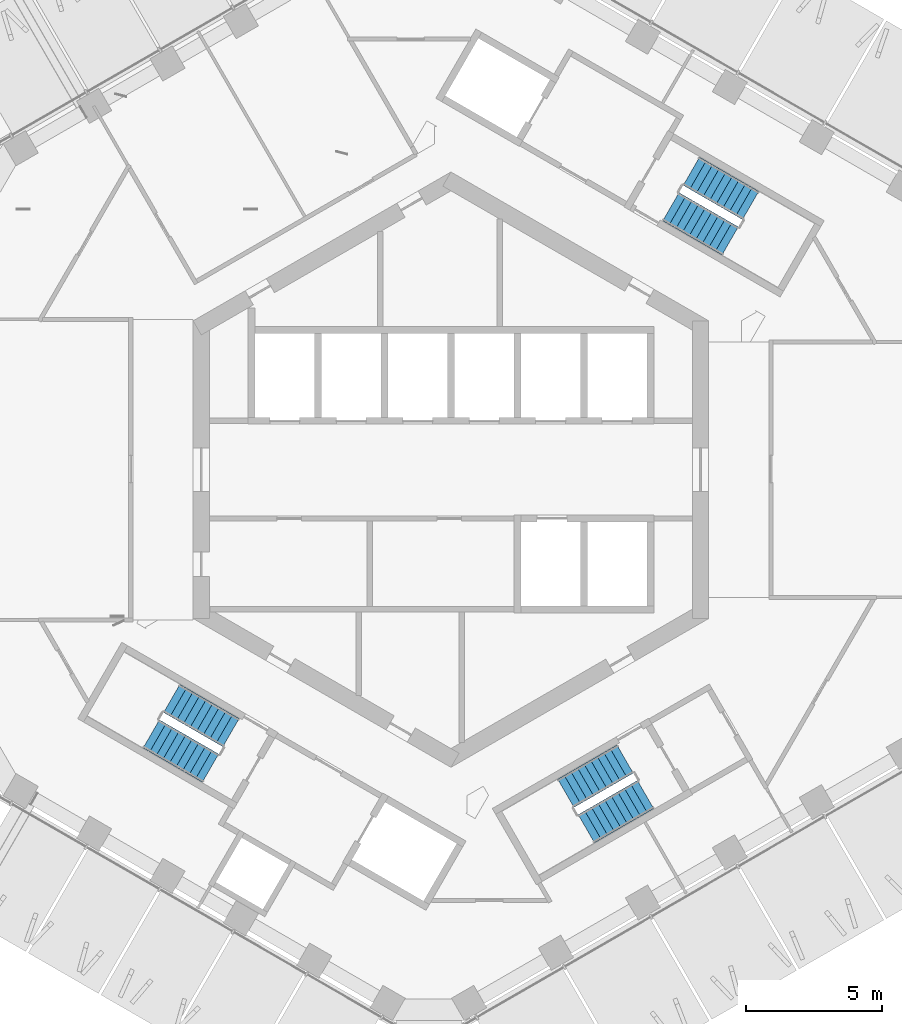
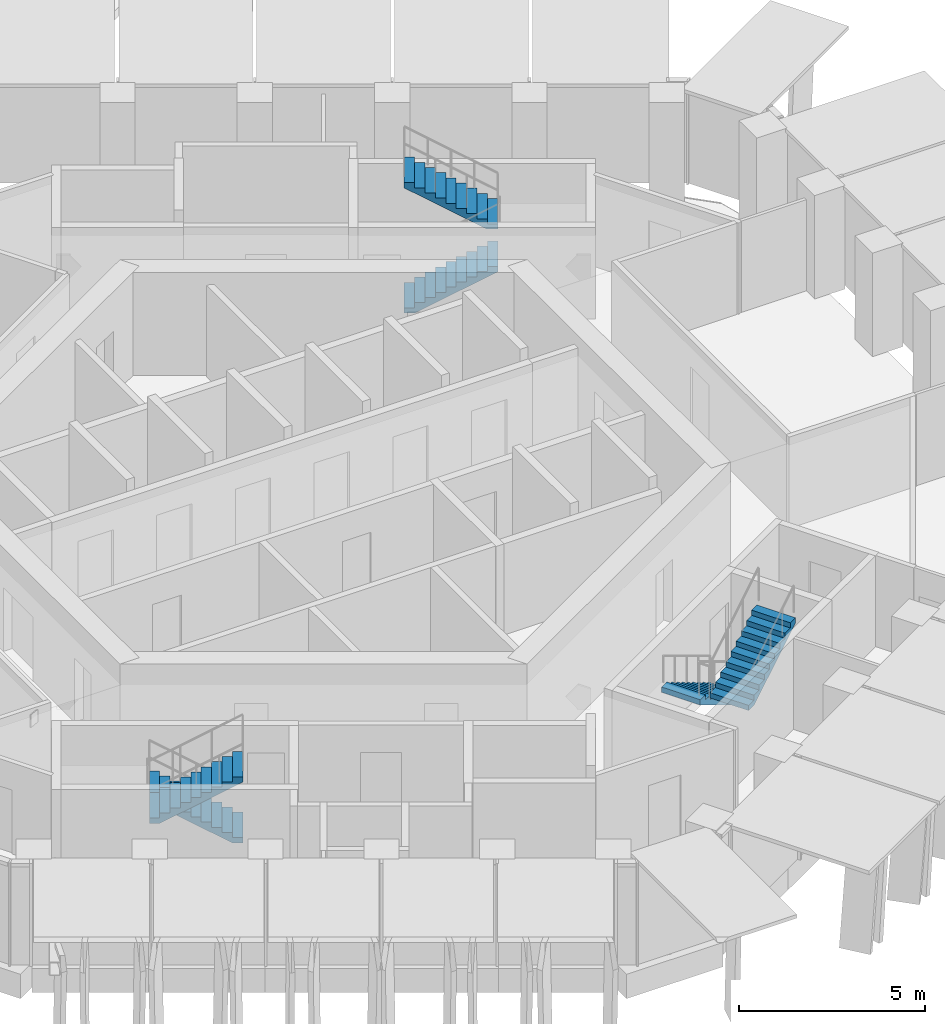
# One storey, part 19 of 23: 6 stair flights, 3 elements without a shape of their own.
"""IFC4 building model written with IfcOpenShell, lengths in metres."""

from ifc_helpers import new_model, si_unit, direction, frame, origin, place, context, subcontext, project, spatial, triangles, material, type_object, element, aggregate, save


model = new_model("IFC4")

# Units and contexts
model_context = context("Model", 3, precision=1e-05, world=origin(), true_north=direction((0.0, 1.0)))
body_context = subcontext(model_context, "Body", "Model", "MODEL_VIEW")
ifc_project = project(units=[si_unit("LENGTHUNIT", "METRE"), si_unit("AREAUNIT", "SQUARE_METRE"), si_unit("VOLUMEUNIT", "CUBIC_METRE"), si_unit("PLANEANGLEUNIT", "RADIAN"), si_unit("MASSUNIT", "GRAM", prefix="KILO")], contexts=[model_context])

# Site, building, storey
site_placement = place(None, origin())
site = spatial("IfcSite", under=ifc_project, at=site_placement, CompositionType="ELEMENT")
building_placement = place(site_placement, origin())
building = spatial("IfcBuilding", under=site, at=building_placement, Name="Ayvan Gate Tower", CompositionType="ELEMENT")
storey_placement = place(building_placement, frame((0.0, 0.0, 198.699951171875)))
storey = spatial("IfcBuildingStorey", under=building, at=storey_placement, Name="L53", CompositionType="ELEMENT", Elevation=198.699951171875)

# Stair, stair flights
ifc_material = material(Name="Concrete C40/50", Category="concrete")
stair_type = type_object("IfcStairType", Name="ST-EXIT", PredefinedType="HALF_TURN_STAIR", material=ifc_material)
stair_1_placement = place(storey_placement, origin())
stair_1 = element("IfcStair", 1, at=stair_1_placement, inside=storey, type_object=stair_type, Name="L53 Exit Stair S1", PredefinedType="HALF_TURN_STAIR")
stair_flight_type = type_object("IfcStairFlightType", Name="SFL-EXIT", PredefinedType="STRAIGHT", material=ifc_material)
stair_flight_1_placement = place(storey_placement, frame((8.106201171875, 9.690185546875, 0.0), z_axis=(0.0, 0.0, 1.0), x_axis=(0.866025403784, -0.5, 0.0)))
stair_flight_1 = element("IfcStairFlight", 2, at=stair_flight_1_placement, type_object=stair_flight_type, Name="STS1 flight 1", NumberOfRisers=10, NumberOfTreads=9, PredefinedType="STRAIGHT", RiserHeight=0.17, TreadLength=0.28, context=body_context, shape_type="Tessellation", body=[
    triangles([(0.288841, -0.599976, 0.0), (2.5205, -0.599976, 1.354936), (2.5205, -0.599976, 1.53), (2.24, -0.599976, 1.53), (2.24, -0.599976, 1.36), (1.96, -0.599976, 1.36), (1.96, -0.599976, 1.19), (1.68, -0.599976, 1.19), (1.68, -0.599976, 1.02), (1.4, -0.599976, 1.02), (1.4, -0.599976, 0.85), (1.12, -0.599976, 0.85), (1.12, -0.599976, 0.68), (0.84, -0.599976, 0.68), (0.84, -0.599976, 0.51), (0.56, -0.599976, 0.51), (0.56, -0.599976, 0.34), (0.28, -0.599976, 0.34), (0.28, -0.599976, 0.17), (-0.0005, -0.599976, 0.17), (-0.0005, -0.599976, 0.0), (0.288841, 0.0, 0.0), (2.5205, 0.0, 1.354936), (2.5205, 0.0, 1.53), (2.24, 0.0, 1.53), (2.24, 0.0, 1.36), (1.96, 0.0, 1.36), (1.96, 0.0, 1.19), (1.68, 0.0, 1.19), (1.68, 0.0, 1.02), (1.4, 0.0, 1.02), (1.4, 0.0, 0.85), (1.12, 0.0, 0.85), (1.12, 0.0, 0.68), (0.84, 0.0, 0.68), (0.84, 0.0, 0.51), (0.56, 0.0, 0.51), (0.56, 0.0, 0.34), (0.28, 0.0, 0.34), (0.28, 0.0, 0.17), (-0.0005, 0.0, 0.17), (-0.0005, 0.0, 0.0), (0.288841, 0.599976, 0.0), (2.5205, 0.599976, 1.354936), (2.5205, 0.599976, 1.53), (2.24, 0.599976, 1.53), (2.24, 0.599976, 1.36), (1.96, 0.599976, 1.36), (1.96, 0.599976, 1.19), (1.68, 0.599976, 1.19), (1.68, 0.599976, 1.02), (1.4, 0.599976, 1.02), (1.4, 0.599976, 0.85), (1.12, 0.599976, 0.85), (1.12, 0.599976, 0.68), (0.84, 0.599976, 0.68), (0.84, 0.599976, 0.51), (0.56, 0.599976, 0.51), (0.56, 0.599976, 0.34), (0.28, 0.599976, 0.34), (0.28, 0.599976, 0.17), (-0.0005, 0.599976, 0.17), (-0.0005, 0.599976, 0.0)], [[21, 1, 2], [63, 44, 43], [2, 3, 4], [44, 46, 45], [2, 4, 5], [44, 47, 46], [2, 5, 6], [44, 48, 47], [2, 6, 7], [44, 49, 48], [7, 8, 9], [49, 51, 50], [2, 7, 9], [44, 51, 49], [9, 10, 11], [51, 53, 52], [2, 9, 11], [44, 53, 51], [11, 12, 13], [53, 55, 54], [2, 11, 13], [44, 55, 53], [13, 14, 15], [55, 57, 56], [2, 13, 15], [44, 57, 55], [15, 16, 17], [57, 59, 58], [2, 15, 17], [44, 59, 57], [17, 18, 19], [59, 61, 60], [2, 17, 19], [44, 61, 59], [21, 2, 19], [63, 61, 44], [19, 20, 21], [61, 63, 62], [1, 22, 23], [1, 23, 2], [43, 23, 22], [43, 44, 23], [2, 23, 24], [2, 24, 3], [44, 24, 23], [44, 45, 24], [3, 24, 25], [3, 25, 4], [45, 25, 24], [45, 46, 25], [4, 25, 26], [4, 26, 5], [46, 26, 25], [46, 47, 26], [5, 26, 27], [5, 27, 6], [47, 27, 26], [47, 48, 27], [6, 27, 28], [6, 28, 7], [48, 28, 27], [48, 49, 28], [7, 28, 29], [7, 29, 8], [49, 29, 28], [49, 50, 29], [8, 29, 30], [8, 30, 9], [50, 30, 29], [50, 51, 30], [9, 30, 31], [9, 31, 10], [51, 31, 30], [51, 52, 31], [10, 31, 32], [10, 32, 11], [52, 32, 31], [52, 53, 32], [11, 32, 33], [11, 33, 12], [53, 33, 32], [53, 54, 33], [12, 33, 34], [12, 34, 13], [54, 34, 33], [54, 55, 34], [13, 34, 35], [13, 35, 14], [55, 35, 34], [55, 56, 35], [14, 35, 36], [14, 36, 15], [56, 36, 35], [56, 57, 36], [15, 36, 37], [15, 37, 16], [57, 37, 36], [57, 58, 37], [16, 37, 38], [16, 38, 17], [58, 38, 37], [58, 59, 38], [17, 38, 39], [17, 39, 18], [59, 39, 38], [59, 60, 39], [18, 39, 40], [18, 40, 19], [60, 40, 39], [60, 61, 40], [19, 40, 41], [19, 41, 20], [61, 41, 40], [61, 62, 41], [20, 41, 42], [20, 42, 21], [62, 42, 41], [62, 63, 42], [21, 42, 22], [21, 22, 1], [63, 22, 42], [63, 43, 22]], closed=True),
])
stair_flight_2_placement = place(storey_placement, frame((11.04345703125, 9.73779296875, 1.699951171875), z_axis=(0.0, 0.0, 1.0), x_axis=(-0.866025403784, 0.5, 0.0)))
stair_flight_2 = element("IfcStairFlight", 3, at=stair_flight_2_placement, type_object=stair_flight_type, Name="STS1 flight 2", NumberOfRisers=10, NumberOfTreads=9, PredefinedType="STRAIGHT", RiserHeight=0.17, TreadLength=0.28, context=body_context, shape_type="Tessellation", body=[
    triangles([(0.288841, -0.599976, 0.0), (2.5205, -0.599976, 1.354936), (2.5205, -0.599976, 1.53), (2.24, -0.599976, 1.53), (2.24, -0.599976, 1.36), (1.96, -0.599976, 1.36), (1.96, -0.599976, 1.19), (1.68, -0.599976, 1.19), (1.68, -0.599976, 1.02), (1.4, -0.599976, 1.02), (1.4, -0.599976, 0.85), (1.12, -0.599976, 0.85), (1.12, -0.599976, 0.68), (0.84, -0.599976, 0.68), (0.84, -0.599976, 0.51), (0.56, -0.599976, 0.51), (0.56, -0.599976, 0.34), (0.28, -0.599976, 0.34), (0.28, -0.599976, 0.17), (-0.0005, -0.599976, 0.17), (-0.0005, -0.599976, 0.0), (0.288841, 0.0, 0.0), (2.5205, 0.0, 1.354936), (2.5205, 0.0, 1.53), (2.24, 0.0, 1.53), (2.24, 0.0, 1.36), (1.96, 0.0, 1.36), (1.96, 0.0, 1.19), (1.68, 0.0, 1.19), (1.68, 0.0, 1.02), (1.4, 0.0, 1.02), (1.4, 0.0, 0.85), (1.12, 0.0, 0.85), (1.12, 0.0, 0.68), (0.84, 0.0, 0.68), (0.84, 0.0, 0.51), (0.56, 0.0, 0.51), (0.56, 0.0, 0.34), (0.28, 0.0, 0.34), (0.28, 0.0, 0.17), (-0.0005, 0.0, 0.17), (-0.0005, 0.0, 0.0), (0.288841, 0.599976, 0.0), (2.5205, 0.599976, 1.354936), (2.5205, 0.599976, 1.53), (2.24, 0.599976, 1.53), (2.24, 0.599976, 1.36), (1.96, 0.599976, 1.36), (1.96, 0.599976, 1.19), (1.68, 0.599976, 1.19), (1.68, 0.599976, 1.02), (1.4, 0.599976, 1.02), (1.4, 0.599976, 0.85), (1.12, 0.599976, 0.85), (1.12, 0.599976, 0.68), (0.84, 0.599976, 0.68), (0.84, 0.599976, 0.51), (0.56, 0.599976, 0.51), (0.56, 0.599976, 0.34), (0.28, 0.599976, 0.34), (0.28, 0.599976, 0.17), (-0.0005, 0.599976, 0.17), (-0.0005, 0.599976, 0.0)], [[21, 1, 2], [63, 44, 43], [2, 3, 4], [44, 46, 45], [2, 4, 5], [44, 47, 46], [2, 5, 6], [44, 48, 47], [2, 6, 7], [44, 49, 48], [7, 8, 9], [49, 51, 50], [2, 7, 9], [44, 51, 49], [9, 10, 11], [51, 53, 52], [2, 9, 11], [44, 53, 51], [11, 12, 13], [53, 55, 54], [2, 11, 13], [44, 55, 53], [13, 14, 15], [55, 57, 56], [2, 13, 15], [44, 57, 55], [15, 16, 17], [57, 59, 58], [2, 15, 17], [44, 59, 57], [17, 18, 19], [59, 61, 60], [2, 17, 19], [44, 61, 59], [21, 2, 19], [63, 61, 44], [19, 20, 21], [61, 63, 62], [1, 22, 23], [1, 23, 2], [43, 23, 22], [43, 44, 23], [2, 23, 24], [2, 24, 3], [44, 24, 23], [44, 45, 24], [3, 24, 25], [3, 25, 4], [45, 25, 24], [45, 46, 25], [4, 25, 26], [4, 26, 5], [46, 26, 25], [46, 47, 26], [5, 26, 27], [5, 27, 6], [47, 27, 26], [47, 48, 27], [6, 27, 28], [6, 28, 7], [48, 28, 27], [48, 49, 28], [7, 28, 29], [7, 29, 8], [49, 29, 28], [49, 50, 29], [8, 29, 30], [8, 30, 9], [50, 30, 29], [50, 51, 30], [9, 30, 31], [9, 31, 10], [51, 31, 30], [51, 52, 31], [10, 31, 32], [10, 32, 11], [52, 32, 31], [52, 53, 32], [11, 32, 33], [11, 33, 12], [53, 33, 32], [53, 54, 33], [12, 33, 34], [12, 34, 13], [54, 34, 33], [54, 55, 34], [13, 34, 35], [13, 35, 14], [55, 35, 34], [55, 56, 35], [14, 35, 36], [14, 36, 15], [56, 36, 35], [56, 57, 36], [15, 36, 37], [15, 37, 16], [57, 37, 36], [57, 58, 37], [16, 37, 38], [16, 38, 17], [58, 38, 37], [58, 59, 38], [17, 38, 39], [17, 39, 18], [59, 39, 38], [59, 60, 39], [18, 39, 40], [18, 40, 19], [60, 40, 39], [60, 61, 40], [19, 40, 41], [19, 41, 20], [61, 41, 40], [61, 62, 41], [20, 41, 42], [20, 42, 21], [62, 42, 41], [62, 63, 42], [21, 42, 22], [21, 22, 1], [63, 22, 42], [63, 43, 22]], closed=True),
])
aggregate(stair_1, [stair_flight_1, stair_flight_2])

stair_2_placement = place(storey_placement, origin())
stair_2 = element("IfcStair", 4, at=stair_2_placement, inside=storey, type_object=stair_type, Name="L53 Exit Stair S2", PredefinedType="HALF_TURN_STAIR")
stair_flight_3_placement = place(storey_placement, frame((-8.106201171875, -9.690185546875, 0.0), z_axis=(0.0, 0.0, 1.0), x_axis=(-0.866025403784, 0.5, 0.0)))
stair_flight_3 = element("IfcStairFlight", 5, at=stair_flight_3_placement, type_object=stair_flight_type, Name="STS2 flight 1", NumberOfRisers=10, NumberOfTreads=9, PredefinedType="STRAIGHT", RiserHeight=0.17, TreadLength=0.28, context=body_context, shape_type="Tessellation", body=[
    triangles([(0.288841, -0.599976, 0.0), (2.5205, -0.599976, 1.354936), (2.5205, -0.599976, 1.53), (2.24, -0.599976, 1.53), (2.24, -0.599976, 1.36), (1.96, -0.599976, 1.36), (1.96, -0.599976, 1.19), (1.68, -0.599976, 1.19), (1.68, -0.599976, 1.02), (1.4, -0.599976, 1.02), (1.4, -0.599976, 0.85), (1.12, -0.599976, 0.85), (1.12, -0.599976, 0.68), (0.84, -0.599976, 0.68), (0.84, -0.599976, 0.51), (0.56, -0.599976, 0.51), (0.56, -0.599976, 0.34), (0.28, -0.599976, 0.34), (0.28, -0.599976, 0.17), (-0.0005, -0.599976, 0.17), (-0.0005, -0.599976, 0.0), (0.288841, 0.0, 0.0), (2.5205, 0.0, 1.354936), (2.5205, 0.0, 1.53), (2.24, 0.0, 1.53), (2.24, 0.0, 1.36), (1.96, 0.0, 1.36), (1.96, 0.0, 1.19), (1.68, 0.0, 1.19), (1.68, 0.0, 1.02), (1.4, 0.0, 1.02), (1.4, 0.0, 0.85), (1.12, 0.0, 0.85), (1.12, 0.0, 0.68), (0.84, 0.0, 0.68), (0.84, 0.0, 0.51), (0.56, 0.0, 0.51), (0.56, 0.0, 0.34), (0.28, 0.0, 0.34), (0.28, 0.0, 0.17), (-0.0005, 0.0, 0.17), (-0.0005, 0.0, 0.0), (0.288841, 0.599976, 0.0), (2.5205, 0.599976, 1.354936), (2.5205, 0.599976, 1.53), (2.24, 0.599976, 1.53), (2.24, 0.599976, 1.36), (1.96, 0.599976, 1.36), (1.96, 0.599976, 1.19), (1.68, 0.599976, 1.19), (1.68, 0.599976, 1.02), (1.4, 0.599976, 1.02), (1.4, 0.599976, 0.85), (1.12, 0.599976, 0.85), (1.12, 0.599976, 0.68), (0.84, 0.599976, 0.68), (0.84, 0.599976, 0.51), (0.56, 0.599976, 0.51), (0.56, 0.599976, 0.34), (0.28, 0.599976, 0.34), (0.28, 0.599976, 0.17), (-0.0005, 0.599976, 0.17), (-0.0005, 0.599976, 0.0)], [[21, 1, 2], [63, 44, 43], [2, 3, 4], [44, 46, 45], [2, 4, 5], [44, 47, 46], [2, 5, 6], [44, 48, 47], [2, 6, 7], [44, 49, 48], [7, 8, 9], [49, 51, 50], [2, 7, 9], [44, 51, 49], [9, 10, 11], [51, 53, 52], [2, 9, 11], [44, 53, 51], [11, 12, 13], [53, 55, 54], [2, 11, 13], [44, 55, 53], [13, 14, 15], [55, 57, 56], [2, 13, 15], [44, 57, 55], [15, 16, 17], [57, 59, 58], [2, 15, 17], [44, 59, 57], [17, 18, 19], [59, 61, 60], [2, 17, 19], [44, 61, 59], [21, 2, 19], [63, 61, 44], [19, 20, 21], [61, 63, 62], [1, 22, 23], [1, 23, 2], [43, 23, 22], [43, 44, 23], [2, 23, 24], [2, 24, 3], [44, 24, 23], [44, 45, 24], [3, 24, 25], [3, 25, 4], [45, 25, 24], [45, 46, 25], [4, 25, 26], [4, 26, 5], [46, 26, 25], [46, 47, 26], [5, 26, 27], [5, 27, 6], [47, 27, 26], [47, 48, 27], [6, 27, 28], [6, 28, 7], [48, 28, 27], [48, 49, 28], [7, 28, 29], [7, 29, 8], [49, 29, 28], [49, 50, 29], [8, 29, 30], [8, 30, 9], [50, 30, 29], [50, 51, 30], [9, 30, 31], [9, 31, 10], [51, 31, 30], [51, 52, 31], [10, 31, 32], [10, 32, 11], [52, 32, 31], [52, 53, 32], [11, 32, 33], [11, 33, 12], [53, 33, 32], [53, 54, 33], [12, 33, 34], [12, 34, 13], [54, 34, 33], [54, 55, 34], [13, 34, 35], [13, 35, 14], [55, 35, 34], [55, 56, 35], [14, 35, 36], [14, 36, 15], [56, 36, 35], [56, 57, 36], [15, 36, 37], [15, 37, 16], [57, 37, 36], [57, 58, 37], [16, 37, 38], [16, 38, 17], [58, 38, 37], [58, 59, 38], [17, 38, 39], [17, 39, 18], [59, 39, 38], [59, 60, 39], [18, 39, 40], [18, 40, 19], [60, 40, 39], [60, 61, 40], [19, 40, 41], [19, 41, 20], [61, 41, 40], [61, 62, 41], [20, 41, 42], [20, 42, 21], [62, 42, 41], [62, 63, 42], [21, 42, 22], [21, 22, 1], [63, 22, 42], [63, 43, 22]], closed=True),
])
stair_flight_4_placement = place(storey_placement, frame((-11.04345703125, -9.73779296875, 1.699951171875), z_axis=(0.0, 0.0, 1.0), x_axis=(0.866025403784, -0.5, 0.0)))
stair_flight_4 = element("IfcStairFlight", 6, at=stair_flight_4_placement, type_object=stair_flight_type, Name="STS2 flight 2", NumberOfRisers=10, NumberOfTreads=9, PredefinedType="STRAIGHT", RiserHeight=0.17, TreadLength=0.28, context=body_context, shape_type="Tessellation", body=[
    triangles([(0.288841, -0.599976, 0.0), (2.5205, -0.599976, 1.354936), (2.5205, -0.599976, 1.53), (2.24, -0.599976, 1.53), (2.24, -0.599976, 1.36), (1.96, -0.599976, 1.36), (1.96, -0.599976, 1.19), (1.68, -0.599976, 1.19), (1.68, -0.599976, 1.02), (1.4, -0.599976, 1.02), (1.4, -0.599976, 0.85), (1.12, -0.599976, 0.85), (1.12, -0.599976, 0.68), (0.84, -0.599976, 0.68), (0.84, -0.599976, 0.51), (0.56, -0.599976, 0.51), (0.56, -0.599976, 0.34), (0.28, -0.599976, 0.34), (0.28, -0.599976, 0.17), (-0.0005, -0.599976, 0.17), (-0.0005, -0.599976, 0.0), (0.288841, 0.0, 0.0), (2.5205, 0.0, 1.354936), (2.5205, 0.0, 1.53), (2.24, 0.0, 1.53), (2.24, 0.0, 1.36), (1.96, 0.0, 1.36), (1.96, 0.0, 1.19), (1.68, 0.0, 1.19), (1.68, 0.0, 1.02), (1.4, 0.0, 1.02), (1.4, 0.0, 0.85), (1.12, 0.0, 0.85), (1.12, 0.0, 0.68), (0.84, 0.0, 0.68), (0.84, 0.0, 0.51), (0.56, 0.0, 0.51), (0.56, 0.0, 0.34), (0.28, 0.0, 0.34), (0.28, 0.0, 0.17), (-0.0005, 0.0, 0.17), (-0.0005, 0.0, 0.0), (0.288841, 0.599976, 0.0), (2.5205, 0.599976, 1.354936), (2.5205, 0.599976, 1.53), (2.24, 0.599976, 1.53), (2.24, 0.599976, 1.36), (1.96, 0.599976, 1.36), (1.96, 0.599976, 1.19), (1.68, 0.599976, 1.19), (1.68, 0.599976, 1.02), (1.4, 0.599976, 1.02), (1.4, 0.599976, 0.85), (1.12, 0.599976, 0.85), (1.12, 0.599976, 0.68), (0.84, 0.599976, 0.68), (0.84, 0.599976, 0.51), (0.56, 0.599976, 0.51), (0.56, 0.599976, 0.34), (0.28, 0.599976, 0.34), (0.28, 0.599976, 0.17), (-0.0005, 0.599976, 0.17), (-0.0005, 0.599976, 0.0)], [[21, 1, 2], [63, 44, 43], [2, 3, 4], [44, 46, 45], [2, 4, 5], [44, 47, 46], [2, 5, 6], [44, 48, 47], [2, 6, 7], [44, 49, 48], [7, 8, 9], [49, 51, 50], [2, 7, 9], [44, 51, 49], [9, 10, 11], [51, 53, 52], [2, 9, 11], [44, 53, 51], [11, 12, 13], [53, 55, 54], [2, 11, 13], [44, 55, 53], [13, 14, 15], [55, 57, 56], [2, 13, 15], [44, 57, 55], [15, 16, 17], [57, 59, 58], [2, 15, 17], [44, 59, 57], [17, 18, 19], [59, 61, 60], [2, 17, 19], [44, 61, 59], [21, 2, 19], [63, 61, 44], [19, 20, 21], [61, 63, 62], [1, 22, 23], [1, 23, 2], [43, 23, 22], [43, 44, 23], [2, 23, 24], [2, 24, 3], [44, 24, 23], [44, 45, 24], [3, 24, 25], [3, 25, 4], [45, 25, 24], [45, 46, 25], [4, 25, 26], [4, 26, 5], [46, 26, 25], [46, 47, 26], [5, 26, 27], [5, 27, 6], [47, 27, 26], [47, 48, 27], [6, 27, 28], [6, 28, 7], [48, 28, 27], [48, 49, 28], [7, 28, 29], [7, 29, 8], [49, 29, 28], [49, 50, 29], [8, 29, 30], [8, 30, 9], [50, 30, 29], [50, 51, 30], [9, 30, 31], [9, 31, 10], [51, 31, 30], [51, 52, 31], [10, 31, 32], [10, 32, 11], [52, 32, 31], [52, 53, 32], [11, 32, 33], [11, 33, 12], [53, 33, 32], [53, 54, 33], [12, 33, 34], [12, 34, 13], [54, 34, 33], [54, 55, 34], [13, 34, 35], [13, 35, 14], [55, 35, 34], [55, 56, 35], [14, 35, 36], [14, 36, 15], [56, 36, 35], [56, 57, 36], [15, 36, 37], [15, 37, 16], [57, 37, 36], [57, 58, 37], [16, 37, 38], [16, 38, 17], [58, 38, 37], [58, 59, 38], [17, 38, 39], [17, 39, 18], [59, 39, 38], [59, 60, 39], [18, 39, 40], [18, 40, 19], [60, 40, 39], [60, 61, 40], [19, 40, 41], [19, 41, 20], [61, 41, 40], [61, 62, 41], [20, 41, 42], [20, 42, 21], [62, 42, 41], [62, 63, 42], [21, 42, 22], [21, 22, 1], [63, 22, 42], [63, 43, 22]], closed=True),
])
aggregate(stair_2, [stair_flight_3, stair_flight_4])

stair_3_placement = place(storey_placement, origin())
stair_3 = element("IfcStair", 7, at=stair_3_placement, inside=storey, type_object=stair_type, Name="L53 Exit Stair S3", PredefinedType="HALF_TURN_STAIR")
stair_flight_5_placement = place(storey_placement, frame((6.417236328125, -10.665283203125, 0.0), z_axis=(0.0, 0.0, 1.0), x_axis=(-0.866025403784, -0.5, 0.0)))
stair_flight_5 = element("IfcStairFlight", 8, at=stair_flight_5_placement, type_object=stair_flight_type, Name="STS3 flight 1", NumberOfRisers=10, NumberOfTreads=9, PredefinedType="STRAIGHT", RiserHeight=0.17, TreadLength=0.28, context=body_context, shape_type="Tessellation", body=[
    triangles([(0.288841, -0.599976, 0.0), (2.5205, -0.599976, 1.354936), (2.5205, -0.599976, 1.53), (2.24, -0.599976, 1.53), (2.24, -0.599976, 1.36), (1.96, -0.599976, 1.36), (1.96, -0.599976, 1.19), (1.68, -0.599976, 1.19), (1.68, -0.599976, 1.02), (1.4, -0.599976, 1.02), (1.4, -0.599976, 0.85), (1.12, -0.599976, 0.85), (1.12, -0.599976, 0.68), (0.84, -0.599976, 0.68), (0.84, -0.599976, 0.51), (0.56, -0.599976, 0.51), (0.56, -0.599976, 0.34), (0.28, -0.599976, 0.34), (0.28, -0.599976, 0.17), (-0.0005, -0.599976, 0.17), (-0.0005, -0.599976, 0.0), (0.288841, 0.0, 0.0), (2.5205, 0.0, 1.354936), (2.5205, 0.0, 1.53), (2.24, 0.0, 1.53), (2.24, 0.0, 1.36), (1.96, 0.0, 1.36), (1.96, 0.0, 1.19), (1.68, 0.0, 1.19), (1.68, 0.0, 1.02), (1.4, 0.0, 1.02), (1.4, 0.0, 0.85), (1.12, 0.0, 0.85), (1.12, 0.0, 0.68), (0.84, 0.0, 0.68), (0.84, 0.0, 0.51), (0.56, 0.0, 0.51), (0.56, 0.0, 0.34), (0.28, 0.0, 0.34), (0.28, 0.0, 0.17), (-0.0005, 0.0, 0.17), (-0.0005, 0.0, 0.0), (0.288841, 0.599976, 0.0), (2.5205, 0.599976, 1.354936), (2.5205, 0.599976, 1.53), (2.24, 0.599976, 1.53), (2.24, 0.599976, 1.36), (1.96, 0.599976, 1.36), (1.96, 0.599976, 1.19), (1.68, 0.599976, 1.19), (1.68, 0.599976, 1.02), (1.4, 0.599976, 1.02), (1.4, 0.599976, 0.85), (1.12, 0.599976, 0.85), (1.12, 0.599976, 0.68), (0.84, 0.599976, 0.68), (0.84, 0.599976, 0.51), (0.56, 0.599976, 0.51), (0.56, 0.599976, 0.34), (0.28, 0.599976, 0.34), (0.28, 0.599976, 0.17), (-0.0005, 0.599976, 0.17), (-0.0005, 0.599976, 0.0)], [[21, 1, 2], [63, 44, 43], [2, 3, 4], [44, 46, 45], [2, 4, 5], [44, 47, 46], [2, 5, 6], [44, 48, 47], [2, 6, 7], [44, 49, 48], [7, 8, 9], [49, 51, 50], [2, 7, 9], [44, 51, 49], [9, 10, 11], [51, 53, 52], [2, 9, 11], [44, 53, 51], [11, 12, 13], [53, 55, 54], [2, 11, 13], [44, 55, 53], [13, 14, 15], [55, 57, 56], [2, 13, 15], [44, 57, 55], [15, 16, 17], [57, 59, 58], [2, 15, 17], [44, 59, 57], [17, 18, 19], [59, 61, 60], [2, 17, 19], [44, 61, 59], [21, 2, 19], [63, 61, 44], [19, 20, 21], [61, 63, 62], [1, 22, 23], [1, 23, 2], [43, 23, 22], [43, 44, 23], [2, 23, 24], [2, 24, 3], [44, 24, 23], [44, 45, 24], [3, 24, 25], [3, 25, 4], [45, 25, 24], [45, 46, 25], [4, 25, 26], [4, 26, 5], [46, 26, 25], [46, 47, 26], [5, 26, 27], [5, 27, 6], [47, 27, 26], [47, 48, 27], [6, 27, 28], [6, 28, 7], [48, 28, 27], [48, 49, 28], [7, 28, 29], [7, 29, 8], [49, 29, 28], [49, 50, 29], [8, 29, 30], [8, 30, 9], [50, 30, 29], [50, 51, 30], [9, 30, 31], [9, 31, 10], [51, 31, 30], [51, 52, 31], [10, 31, 32], [10, 32, 11], [52, 32, 31], [52, 53, 32], [11, 32, 33], [11, 33, 12], [53, 33, 32], [53, 54, 33], [12, 33, 34], [12, 34, 13], [54, 34, 33], [54, 55, 34], [13, 34, 35], [13, 35, 14], [55, 35, 34], [55, 56, 35], [14, 35, 36], [14, 36, 15], [56, 36, 35], [56, 57, 36], [15, 36, 37], [15, 37, 16], [57, 37, 36], [57, 58, 37], [16, 37, 38], [16, 38, 17], [58, 38, 37], [58, 59, 38], [17, 38, 39], [17, 39, 18], [59, 39, 38], [59, 60, 39], [18, 39, 40], [18, 40, 19], [60, 40, 39], [60, 61, 40], [19, 40, 41], [19, 41, 20], [61, 41, 40], [61, 62, 41], [20, 41, 42], [20, 42, 21], [62, 42, 41], [62, 63, 42], [21, 42, 22], [21, 22, 1], [63, 22, 42], [63, 43, 22]], closed=True),
])
stair_flight_6_placement = place(storey_placement, frame((4.989990234375, -13.23291015625, 1.699951171875), z_axis=(0.0, 0.0, 1.0), x_axis=(0.866025403784, 0.5, 0.0)))
stair_flight_6 = element("IfcStairFlight", 9, at=stair_flight_6_placement, type_object=stair_flight_type, Name="STS3 flight 2", NumberOfRisers=10, NumberOfTreads=9, PredefinedType="STRAIGHT", RiserHeight=0.17, TreadLength=0.28, context=body_context, shape_type="Tessellation", body=[
    triangles([(0.288841, -0.599976, 0.0), (2.5205, -0.599976, 1.354936), (2.5205, -0.599976, 1.53), (2.24, -0.599976, 1.53), (2.24, -0.599976, 1.36), (1.96, -0.599976, 1.36), (1.96, -0.599976, 1.19), (1.68, -0.599976, 1.19), (1.68, -0.599976, 1.02), (1.4, -0.599976, 1.02), (1.4, -0.599976, 0.85), (1.12, -0.599976, 0.85), (1.12, -0.599976, 0.68), (0.84, -0.599976, 0.68), (0.84, -0.599976, 0.51), (0.56, -0.599976, 0.51), (0.56, -0.599976, 0.34), (0.28, -0.599976, 0.34), (0.28, -0.599976, 0.17), (-0.0005, -0.599976, 0.17), (-0.0005, -0.599976, 0.0), (0.288841, 0.0, 0.0), (2.5205, 0.0, 1.354936), (2.5205, 0.0, 1.53), (2.24, 0.0, 1.53), (2.24, 0.0, 1.36), (1.96, 0.0, 1.36), (1.96, 0.0, 1.19), (1.68, 0.0, 1.19), (1.68, 0.0, 1.02), (1.4, 0.0, 1.02), (1.4, 0.0, 0.85), (1.12, 0.0, 0.85), (1.12, 0.0, 0.68), (0.84, 0.0, 0.68), (0.84, 0.0, 0.51), (0.56, 0.0, 0.51), (0.56, 0.0, 0.34), (0.28, 0.0, 0.34), (0.28, 0.0, 0.17), (-0.0005, 0.0, 0.17), (-0.0005, 0.0, 0.0), (0.288841, 0.599976, 0.0), (2.5205, 0.599976, 1.354936), (2.5205, 0.599976, 1.53), (2.24, 0.599976, 1.53), (2.24, 0.599976, 1.36), (1.96, 0.599976, 1.36), (1.96, 0.599976, 1.19), (1.68, 0.599976, 1.19), (1.68, 0.599976, 1.02), (1.4, 0.599976, 1.02), (1.4, 0.599976, 0.85), (1.12, 0.599976, 0.85), (1.12, 0.599976, 0.68), (0.84, 0.599976, 0.68), (0.84, 0.599976, 0.51), (0.56, 0.599976, 0.51), (0.56, 0.599976, 0.34), (0.28, 0.599976, 0.34), (0.28, 0.599976, 0.17), (-0.0005, 0.599976, 0.17), (-0.0005, 0.599976, 0.0)], [[21, 1, 2], [63, 44, 43], [2, 3, 4], [44, 46, 45], [2, 4, 5], [44, 47, 46], [2, 5, 6], [44, 48, 47], [2, 6, 7], [44, 49, 48], [7, 8, 9], [49, 51, 50], [2, 7, 9], [44, 51, 49], [9, 10, 11], [51, 53, 52], [2, 9, 11], [44, 53, 51], [11, 12, 13], [53, 55, 54], [2, 11, 13], [44, 55, 53], [13, 14, 15], [55, 57, 56], [2, 13, 15], [44, 57, 55], [15, 16, 17], [57, 59, 58], [2, 15, 17], [44, 59, 57], [17, 18, 19], [59, 61, 60], [2, 17, 19], [44, 61, 59], [21, 2, 19], [63, 61, 44], [19, 20, 21], [61, 63, 62], [1, 22, 23], [1, 23, 2], [43, 23, 22], [43, 44, 23], [2, 23, 24], [2, 24, 3], [44, 24, 23], [44, 45, 24], [3, 24, 25], [3, 25, 4], [45, 25, 24], [45, 46, 25], [4, 25, 26], [4, 26, 5], [46, 26, 25], [46, 47, 26], [5, 26, 27], [5, 27, 6], [47, 27, 26], [47, 48, 27], [6, 27, 28], [6, 28, 7], [48, 28, 27], [48, 49, 28], [7, 28, 29], [7, 29, 8], [49, 29, 28], [49, 50, 29], [8, 29, 30], [8, 30, 9], [50, 30, 29], [50, 51, 30], [9, 30, 31], [9, 31, 10], [51, 31, 30], [51, 52, 31], [10, 31, 32], [10, 32, 11], [52, 32, 31], [52, 53, 32], [11, 32, 33], [11, 33, 12], [53, 33, 32], [53, 54, 33], [12, 33, 34], [12, 34, 13], [54, 34, 33], [54, 55, 34], [13, 34, 35], [13, 35, 14], [55, 35, 34], [55, 56, 35], [14, 35, 36], [14, 36, 15], [56, 36, 35], [56, 57, 36], [15, 36, 37], [15, 37, 16], [57, 37, 36], [57, 58, 37], [16, 37, 38], [16, 38, 17], [58, 38, 37], [58, 59, 38], [17, 38, 39], [17, 39, 18], [59, 39, 38], [59, 60, 39], [18, 39, 40], [18, 40, 19], [60, 40, 39], [60, 61, 40], [19, 40, 41], [19, 41, 20], [61, 41, 40], [61, 62, 41], [20, 41, 42], [20, 42, 21], [62, 42, 41], [62, 63, 42], [21, 42, 22], [21, 22, 1], [63, 22, 42], [63, 43, 22]], closed=True),
])
aggregate(stair_3, [stair_flight_5, stair_flight_6])

save(model, "model.ifc")
